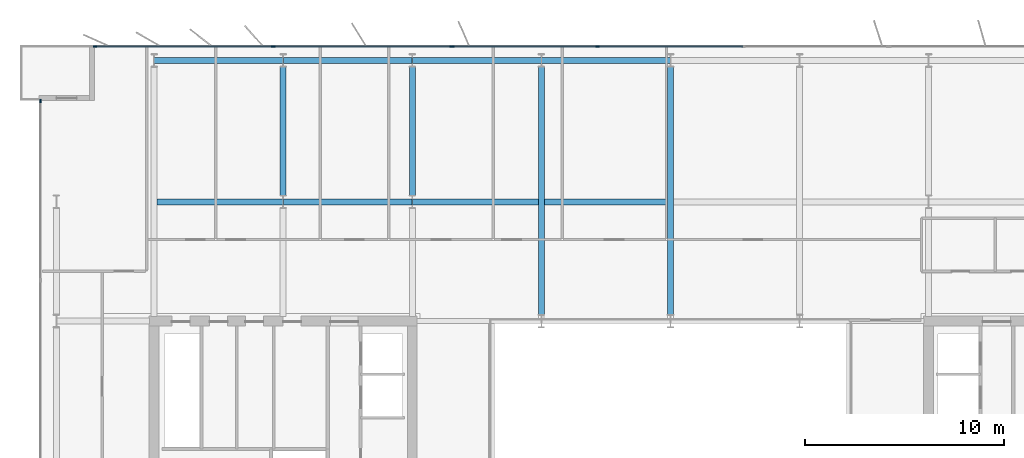
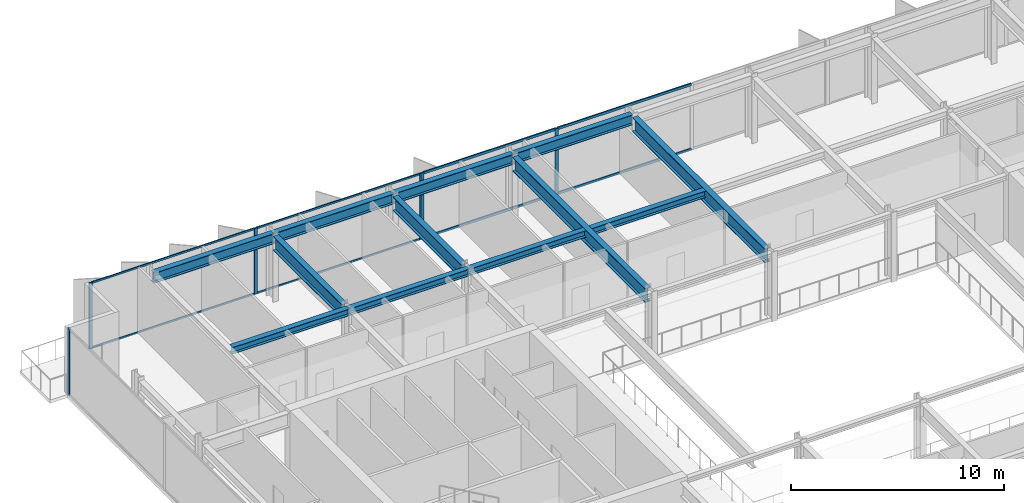
# One storey, part 8 of 21: 14 members, 12 beams, 3 elements without a shape of their own.
"""IFC4 building model written with IfcOpenShell, lengths in metres."""

import ifcopenshell
import ifcopenshell.guid

model = None  # the IFC model being written
_history = None  # IfcOwnerHistory: only IFC2X3 demands one
_inside = {}  # id of a spatial element -> (the spatial element, [elements in it])
_under = {}  # id of a project, library or spatial element -> (it, [spatial elements below it])
_declared = {}  # id of a project -> (the project, [libraries it declares])
_typed = {}  # id of a type object -> (the type object, [elements of that type])
_made_of = {}  # id of a material, layer set ... -> (it, [elements and type objects made of it])


def new_model(schema):
    """Start an empty IFC model of exactly this schema.

    Asked for "IFC4X3", IfcOpenShell would pick the latest addendum, in which some entities
    have other attributes; the version numbers below select the first issue.
    IFC2X3 requires an IfcOwnerHistory on every rooted entity: one is made here for all.
    """
    global model, _history
    if schema == "IFC4X3":
        model = ifcopenshell.file(schema_version=(4, 3, 0, 0))
    else:
        model = ifcopenshell.file(schema=schema)
    _inside.clear()
    _under.clear()
    _declared.clear()
    _typed.clear()
    _made_of.clear()
    _history = None
    if model.schema == "IFC2X3":
        org = make("IfcOrganization", Name="unknown")
        user = make(
            "IfcPersonAndOrganization",
            ThePerson=make("IfcPerson", FamilyName="unknown"),
            TheOrganization=org,
        )
        app = make(
            "IfcApplication",
            ApplicationDeveloper=org,
            Version="unknown",
            ApplicationFullName="unknown",
            ApplicationIdentifier="unknown",
        )
        _history = make(
            "IfcOwnerHistory",
            OwningUser=user,
            OwningApplication=app,
            ChangeAction="ADDED",
            CreationDate=0,
        )
    return model


def make(cls, **values):
    """One entity of the class cls with the attributes given. An attribute that is None is left unset."""
    return model.create_entity(
        cls, **{name: value for name, value in values.items() if value is not None}
    )


def rooted(cls, **values):
    """An entity with a GlobalId (a new one), such as an element, a storey or a relation."""
    return make(cls, GlobalId=ifcopenshell.guid.new(), OwnerHistory=_history, **values)


def si_unit(unit_type, name, prefix=None):
    """IfcSIUnit, for example si_unit("LENGTHUNIT", "METRE", prefix="MILLI")."""
    return make("IfcSIUnit", UnitType=unit_type, Prefix=prefix, Name=name)


def assignment(units):
    """IfcUnitAssignment: the units of a project."""
    return None if units is None else make("IfcUnitAssignment", Units=units)


def point(xyz):
    """IfcCartesianPoint."""
    return None if xyz is None else make("IfcCartesianPoint", Coordinates=xyz)


def direction(xyz):
    """IfcDirection."""
    return None if xyz is None else make("IfcDirection", DirectionRatios=xyz)


def frame(location, z_axis=None, x_axis=None):
    """IfcAxis2Placement3D, a coordinate frame: its origin and axes. An axis left out is left unset."""
    return make(
        "IfcAxis2Placement3D",
        Location=point(location),
        Axis=direction(z_axis),
        RefDirection=direction(x_axis),
    )


def frame_2d(location, x_axis=None):
    """IfcAxis2Placement2D, a coordinate frame in the plane: its origin and x axis."""
    return make(
        "IfcAxis2Placement2D", Location=point(location), RefDirection=direction(x_axis)
    )


def origin():
    """The frame at (0, 0, 0) with its axes left unset."""
    return frame((0.0, 0.0, 0.0))


def origin_2d():
    """The frame at (0, 0) in the plane with its x axis left unset."""
    return frame_2d((0.0, 0.0))


def place(relative_to, where):
    """IfcLocalPlacement: puts the frame where relative to a parent placement (None: the world)."""
    return make(
        "IfcLocalPlacement", PlacementRelTo=relative_to, RelativePlacement=where
    )


def context(
    kind, dimensions, precision=None, world=None, true_north=None, identifier=None
):
    """IfcGeometricRepresentationContext, for example the 3D "Model" context."""
    return make(
        "IfcGeometricRepresentationContext",
        ContextIdentifier=identifier,
        ContextType=kind,
        CoordinateSpaceDimension=dimensions,
        Precision=precision,
        WorldCoordinateSystem=world,
        TrueNorth=true_north,
    )


def subcontext(parent, identifier, kind, view, scale=None):
    """IfcGeometricRepresentationSubContext, for example "Body" below "Model"."""
    return make(
        "IfcGeometricRepresentationSubContext",
        ContextIdentifier=identifier,
        ContextType=kind,
        ParentContext=parent,
        TargetScale=scale,
        TargetView=view,
    )


def project(units=None, contexts=None):
    """IfcProject with its units and contexts."""
    return rooted(
        "IfcProject",
        Name="project",
        RepresentationContexts=contexts,
        UnitsInContext=assignment(units),
    )


def spatial(cls, under=None, at=None, **own):
    """A site, building, storey or space (cls), placed at a placement, below another one or the project."""
    s = rooted(cls, ObjectPlacement=at, **own)
    if under is not None:
        _under.setdefault(under.id(), (under, []))[1].append(s)
    return s


def profile(cls, at=None, kind="AREA", **sizes):
    """A parametric profile (cls). Its sizes go by their IFC names, for example OverallWidth=200.0."""
    return make(cls, ProfileType=kind, Position=at, **sizes)


def rectangle(**sizes):
    """IfcRectangleProfileDef."""
    return profile("IfcRectangleProfileDef", **sizes)


def i_section(**sizes):
    """IfcIShapeProfileDef."""
    return profile("IfcIShapeProfileDef", **sizes)


def extrude(swept, where, along, depth):
    """IfcExtrudedAreaSolid: the profile swept, set in the frame where, extruded along a direction by depth."""
    return make(
        "IfcExtrudedAreaSolid",
        SweptArea=swept,
        Position=where,
        ExtrudedDirection=direction(along),
        Depth=depth,
    )


def shape(context_of_items, identifier, shape_type, items):
    """IfcShapeRepresentation: the items that make up one representation, for example the "Body"."""
    return make(
        "IfcShapeRepresentation",
        ContextOfItems=context_of_items,
        RepresentationIdentifier=identifier,
        RepresentationType=shape_type,
        Items=items,
    )


def material(Name=None, Category=None):
    """IfcMaterial."""
    return make("IfcMaterial", Name=Name, Category=Category)


def layer(
    of_material, thickness, ventilated=None, Name=None, Category=None, Priority=None
):
    """IfcMaterialLayer: one layer of a wall or slab, of a material (None: an air gap)."""
    return make(
        "IfcMaterialLayer",
        Material=of_material,
        LayerThickness=thickness,
        IsVentilated=ventilated,
        Name=Name,
        Category=Category,
        Priority=Priority,
    )


def layer_set(layers, Name=None):
    """IfcMaterialLayerSet."""
    return make("IfcMaterialLayerSet", MaterialLayers=layers, LayerSetName=Name)


def material_profile(
    of_material, cross_section, Name=None, Category=None, Priority=None
):
    """IfcMaterialProfile: a cross section and its material."""
    return make(
        "IfcMaterialProfile",
        Name=Name,
        Material=of_material,
        Profile=cross_section,
        Priority=Priority,
        Category=Category,
    )


def profile_set(profiles, Name=None, composite=None):
    """IfcMaterialProfileSet."""
    return make(
        "IfcMaterialProfileSet",
        Name=Name,
        MaterialProfiles=profiles,
        CompositeProfile=composite,
    )


def made_of(thing, what):
    """Note that an element or type object is made of a material, layer set ...; save() writes the relation."""
    if what is not None:
        _made_of.setdefault(what.id(), (what, []))[1].append(thing)
    return thing


def type_object(cls, material=None, **own):
    """A type object (cls), such as IfcWallType, which elements share."""
    return made_of(rooted(cls, **own), material)


def element(
    cls,
    number,
    at=None,
    inside=None,
    cuts=None,
    type_object=None,
    material=None,
    context=None,
    identifier="Body",
    shape_type=None,
    held_by="IfcProductDefinitionShape",
    body=None,
    shapes=None,
    **own,
):
    """One element of the class cls, such as IfcWall. Its Tag is "e" and its number.

    at: its placement. inside: the storey or other place that contains it. cuts: it is an
    opening in that element (IfcRelVoidsElement). A single representation is given by context,
    identifier, shape_type and body (its items); several are given by shapes. held_by: the class
    of the entity that holds the representations. save() writes the other relations.
    """
    e = rooted(cls, Tag="e%d" % number, ObjectPlacement=at, **own)
    if body is not None:
        shapes = [shape(context, identifier, shape_type, body)]
    if shapes is not None:
        e.Representation = make(held_by, Representations=shapes)
    if inside is not None:
        _inside.setdefault(inside.id(), (inside, []))[1].append(e)
    if cuts is not None:
        rooted(
            "IfcRelVoidsElement", RelatingBuildingElement=cuts, RelatedOpeningElement=e
        )
    if type_object is not None:
        _typed.setdefault(type_object.id(), (type_object, []))[1].append(e)
    return made_of(e, material)


def aggregate(whole, parts):
    """IfcRelAggregates: a whole, such as a stair, and the parts it consists of."""
    return rooted("IfcRelAggregates", RelatingObject=whole, RelatedObjects=parts)


def save(model, path):
    """Write the relations noted so far, then the file.

    IfcRelAggregates (storeys below a building ...), IfcRelContainedInSpatialStructure (elements
    in a storey), IfcRelDefinesByType, IfcRelAssociatesMaterial and IfcRelDeclares: one each for
    every whole, place, type object, material and project.
    """
    for whole, parts in _under.values():
        aggregate(whole, parts)
    for where, things in _inside.values():
        rooted(
            "IfcRelContainedInSpatialStructure",
            RelatedElements=things,
            RelatingStructure=where,
        )
    for kind, things in _typed.values():
        rooted("IfcRelDefinesByType", RelatedObjects=things, RelatingType=kind)
    for what, things in _made_of.values():
        rooted("IfcRelAssociatesMaterial", RelatedObjects=things, RelatingMaterial=what)
    for by, libraries in _declared.values():
        rooted("IfcRelDeclares", RelatingContext=by, RelatedDefinitions=libraries)
    model.write(path)


model = new_model("IFC4")

# Units and contexts
model_context = context("Model", 3, precision=1e-05, world=origin(), true_north=direction((0.0, 1.0)))
body_context = subcontext(model_context, "Body", "Model", "MODEL_VIEW")
ifc_project = project(units=[si_unit("LENGTHUNIT", "METRE"), si_unit("AREAUNIT", "SQUARE_METRE"), si_unit("VOLUMEUNIT", "CUBIC_METRE"), si_unit("PLANEANGLEUNIT", "RADIAN"), si_unit("MASSUNIT", "GRAM", prefix="KILO")], contexts=[model_context])

# Site, building, storey
site_placement = place(None, origin())
site = spatial("IfcSite", under=ifc_project, at=site_placement, CompositionType="ELEMENT")
building_placement = place(site_placement, origin())
building = spatial("IfcBuilding", under=site, at=building_placement, Name="Putna Gate Headquarters", CompositionType="ELEMENT")
storey_placement = place(building_placement, frame((0.0, 0.0, 278.39990234375)))
storey = spatial("IfcBuildingStorey", under=building, at=storey_placement, Name="L70", CompositionType="ELEMENT", Elevation=278.39990234375)

# Beams
ifc_material_1 = material(Name="Steel S355J2", Category="steel")
ifc_material_profile_1 = material_profile(ifc_material_1, i_section(OverallWidth=0.300048828125, OverallDepth=0.800048828125, WebThickness=0.017578125, FlangeThickness=0.032958984375, at=origin_2d()), Name="Steel S355J2")
ifc_profile_set_1 = profile_set([ifc_material_profile_1], Name="Steel S355J2")
beam_type_1 = type_object("IfcBeamType", Name="BM-GIRD-P-HEB800", PredefinedType="USERDEFINED", material=ifc_profile_set_1)
for number, where, z_axis, x_axis, name in (
    (1, (19.5, 39.322021484375, 3.38818359375), (0.0, 1.0, 0.0), (-1.0, 0.0, 0.0), "L70 North Primary Girder X19-2"),
    (2, (26.0, 39.322021484375, 3.38818359375), (0.0, 1.0, 0.0), (-1.0, 0.0, 0.0), "L70 North Primary Girder X26-2"),
):
    element("IfcBeam", number, at=place(storey_placement, frame(where, z_axis=z_axis, x_axis=x_axis)), inside=storey, type_object=beam_type_1, Name=name, ObjectType="GIRDER", PredefinedType="USERDEFINED", context=body_context, shape_type="SweptSolid", body=[
        extrude(i_section(OverallWidth=0.300048828125, OverallDepth=0.800048828125, WebThickness=0.017578125, FlangeThickness=0.032958984375, at=origin_2d()), origin(), (0.0, 0.0, 1.0), 6.47607421875),
    ])
for number, where, z_axis, x_axis, name in (
    (3, (32.5, 33.322021484375, 3.38818359375), (0.0, 1.0, 0.0), (-1.0, 0.0, 0.0), "L70 North Primary Girder X32"),
    (4, (39.0, 33.322021484375, 3.38818359375), (0.0, 1.0, 0.0), (-1.0, 0.0, 0.0), "L70 North Primary Girder X39"),
):
    element("IfcBeam", number, at=place(storey_placement, frame(where, z_axis=z_axis, x_axis=x_axis)), inside=storey, type_object=beam_type_1, Name=name, ObjectType="GIRDER", PredefinedType="USERDEFINED", context=body_context, shape_type="SweptSolid", body=[
        extrude(i_section(OverallWidth=0.300048828125, OverallDepth=0.800048828125, WebThickness=0.017578125, FlangeThickness=0.032958984375, at=origin_2d()), origin(), (0.0, 0.0, 1.0), 12.47607421875),
    ])
ifc_material_profile_2 = material_profile(ifc_material_1, i_section(OverallWidth=0.300048828125, OverallDepth=0.389892578125, WebThickness=0.010986328125, FlangeThickness=0.01904296875, at=origin_2d()), Name="Steel S355J2")
ifc_profile_set_2 = profile_set([ifc_material_profile_2], Name="Steel S355J2")
beam_type_2 = type_object("IfcBeamType", Name="BM-SEC-Z5-HEA400", PredefinedType="BEAM", material=ifc_profile_set_2)
beam_1_placement = place(storey_placement, frame((13.154052734375, 39.0, 3.593017578125), z_axis=(1.0, 0.0, 0.0), x_axis=(0.0, 1.0, 0.0)))
element("IfcBeam", 5, at=beam_1_placement, inside=storey, type_object=beam_type_2, Name="L70 North Secondary Beam 1", PredefinedType="BEAM", context=body_context, shape_type="SweptSolid", body=[
    extrude(i_section(OverallWidth=0.300048828125, OverallDepth=0.389892578125, WebThickness=0.010986328125, FlangeThickness=0.01904296875, at=origin_2d()), origin(), (0.0, 0.0, 1.0), 6.33984375),
])
beam_2_placement = place(storey_placement, frame((19.506103515625, 39.0, 3.593017578125), z_axis=(1.0, 0.0, 0.0), x_axis=(0.0, 1.0, 0.0)))
element("IfcBeam", 6, at=beam_2_placement, inside=storey, type_object=beam_type_2, Name="L70 North Secondary Beam 2", PredefinedType="BEAM", context=body_context, shape_type="SweptSolid", body=[
    extrude(i_section(OverallWidth=0.300048828125, OverallDepth=0.389892578125, WebThickness=0.010986328125, FlangeThickness=0.01904296875, at=origin_2d()), origin(), (0.0, 0.0, 1.0), 6.48779296875),
])
beam_3_placement = place(storey_placement, frame((26.006103515625, 39.0, 3.593017578125), z_axis=(1.0, 0.0, 0.0), x_axis=(0.0, 1.0, 0.0)))
element("IfcBeam", 7, at=beam_3_placement, inside=storey, type_object=beam_type_2, Name="L70 North Secondary Beam 3", PredefinedType="BEAM", context=body_context, shape_type="SweptSolid", body=[
    extrude(i_section(OverallWidth=0.300048828125, OverallDepth=0.389892578125, WebThickness=0.010986328125, FlangeThickness=0.01904296875, at=origin_2d()), origin(), (0.0, 0.0, 1.0), 6.33984375),
])
beam_4_placement = place(storey_placement, frame((32.654052734375, 39.0, 3.593017578125), z_axis=(1.0, 0.0, 0.0), x_axis=(0.0, 1.0, 0.0)))
element("IfcBeam", 8, at=beam_4_placement, inside=storey, type_object=beam_type_2, Name="L70 North Secondary Beam 4", PredefinedType="BEAM", context=body_context, shape_type="SweptSolid", body=[
    extrude(i_section(OverallWidth=0.300048828125, OverallDepth=0.389892578125, WebThickness=0.010986328125, FlangeThickness=0.01904296875, at=origin_2d()), origin(), (0.0, 0.0, 1.0), 6.19189453125),
])
ifc_material_profile_3 = material_profile(ifc_material_1, i_section(OverallWidth=0.300048828125, OverallDepth=0.590087890625, WebThickness=0.012939453125, FlangeThickness=0.02490234375, at=origin_2d()), Name="Steel S355J2")
ifc_profile_set_3 = profile_set([ifc_material_profile_3], Name="Steel S355J2")
beam_type_3 = type_object("IfcBeamType", Name="BM-SPAN-Z4-HEA600", PredefinedType="SPANDREL", material=ifc_profile_set_3)
for number, where, z_axis, x_axis, name in (
    (9, (13.006103515625, 46.1201171875, 3.4931640625), (1.0, 0.0, 0.0), (0.0, 1.0, 0.0), "L70 N Perimeter Spandrel 1"),
    (10, (19.506103515625, 46.1201171875, 3.4931640625), (1.0, 0.0, 0.0), (0.0, 1.0, 0.0), "L70 N Perimeter Spandrel 2"),
    (11, (26.006103515625, 46.1201171875, 3.4931640625), (1.0, 0.0, 0.0), (0.0, 1.0, 0.0), "L70 N Perimeter Spandrel 3"),
    (12, (32.506103515625, 46.1201171875, 3.4931640625), (1.0, 0.0, 0.0), (0.0, 1.0, 0.0), "L70 N Perimeter Spandrel 4"),
):
    element("IfcBeam", number, at=place(storey_placement, frame(where, z_axis=z_axis, x_axis=x_axis)), inside=storey, type_object=beam_type_3, Name=name, PredefinedType="SPANDREL", context=body_context, shape_type="SweptSolid", body=[
        extrude(i_section(OverallWidth=0.300048828125, OverallDepth=0.590087890625, WebThickness=0.012939453125, FlangeThickness=0.02490234375, at=origin_2d()), origin(), (0.0, 0.0, 1.0), 6.48779296875),
    ])

# Curtain wall, members
ifc_material_2 = material(Name="Anodised bronze aluminium curtain wall", Category="aluminium")
ifc_layer_1 = layer(ifc_material_2, 0.179931640625)
ifc_layer_set_1 = layer_set([ifc_layer_1], Name="Anodised bronze aluminium curtain wall")
curtain_wall_type_1 = type_object("IfcCurtainWallType", Name="CW-SYS-Z5", PredefinedType="USERDEFINED", material=ifc_layer_set_1)
curtain_wall_1_placement = place(storey_placement, origin())
curtain_wall_1 = element("IfcCurtainWall", 13, at=curtain_wall_1_placement, inside=storey, type_object=curtain_wall_type_1, Name="L70 North West Curtain Wall", ObjectType="STICK CURTAIN WALL", PredefinedType="USERDEFINED")
ifc_material_3 = material(Name="Anodised bronze aluminium EN AW-6060", Category="aluminium")
ifc_material_profile_4 = material_profile(ifc_material_3, rectangle(XDim=0.070068359375, YDim=0.179931640625, at=origin_2d()), Name="Anodised bronze aluminium EN AW-6060")
ifc_profile_set_4 = profile_set([ifc_material_profile_4], Name="Anodised bronze aluminium EN AW-6060")
member_type_1 = type_object("IfcMemberType", Name="MULL-CWM-5", PredefinedType="MULLION", material=ifc_profile_set_4)
member_1_placement = place(storey_placement, frame((10.034912109375, 46.820068359375, 0.0), z_axis=(0.0, 0.0, 1.0), x_axis=(0.0, 1.0, 0.0)))
member_1 = element("IfcMember", 14, at=member_1_placement, type_object=member_type_1, Name="CWS-5 mullion 1", PredefinedType="MULLION", context=body_context, shape_type="SweptSolid", body=[
    extrude(rectangle(XDim=0.070068359375, YDim=0.179931640625, at=origin_2d()), origin(), (0.0, 0.0, 1.0), 3.7880859375),
])
member_2_placement = place(storey_placement, frame((19.0, 46.820068359375, 0.0), z_axis=(0.0, 0.0, 1.0), x_axis=(0.0, 1.0, 0.0)))
member_2 = element("IfcMember", 15, at=member_2_placement, type_object=member_type_1, Name="CWS-5 mullion 2", PredefinedType="MULLION", context=body_context, shape_type="SweptSolid", body=[
    extrude(rectangle(XDim=0.070068359375, YDim=0.179931640625, at=origin_2d()), origin(), (0.0, 0.0, 1.0), 3.7880859375),
])
member_3_placement = place(storey_placement, frame((27.965087890625, 46.820068359375, 0.0), z_axis=(0.0, 0.0, 1.0), x_axis=(0.0, 1.0, 0.0)))
member_3 = element("IfcMember", 16, at=member_3_placement, type_object=member_type_1, Name="CWS-5 mullion 3", PredefinedType="MULLION", context=body_context, shape_type="SweptSolid", body=[
    extrude(rectangle(XDim=0.070068359375, YDim=0.179931640625, at=origin_2d()), origin(), (0.0, 0.0, 1.0), 3.7880859375),
])

# Curtain wall, member
curtain_wall_2_placement = place(storey_placement, origin())
curtain_wall_2 = element("IfcCurtainWall", 17, at=curtain_wall_2_placement, inside=storey, type_object=curtain_wall_type_1, Name="L70 West Curtain Wall", ObjectType="STICK CURTAIN WALL", PredefinedType="USERDEFINED")
member_4_placement = place(storey_placement, frame((7.280029296875, 44.06494140625, 0.0), z_axis=(0.0, 0.0, 1.0), x_axis=(-1.0, 0.0, 0.0)))
member_4 = element("IfcMember", 18, at=member_4_placement, type_object=member_type_1, Name="CWS-5 mullion 5", PredefinedType="MULLION", context=body_context, shape_type="SweptSolid", body=[
    extrude(rectangle(XDim=0.070068359375, YDim=0.179931640625, at=origin_2d()), origin(), (0.0, 0.0, 1.0), 3.7880859375),
])
aggregate(curtain_wall_2, [member_4])

# Curtain wall, members
ifc_layer_2 = layer(ifc_material_2, 0.179931640625)
ifc_layer_set_2 = layer_set([ifc_layer_2], Name="Anodised bronze aluminium curtain wall")
curtain_wall_type_2 = type_object("IfcCurtainWallType", Name="CW-SYS-ATR", PredefinedType="USERDEFINED", material=ifc_layer_set_2)
curtain_wall_3_placement = place(storey_placement, origin())
curtain_wall_3 = element("IfcCurtainWall", 19, at=curtain_wall_3_placement, inside=storey, type_object=curtain_wall_type_2, Name="L70 North Atrium Clear Glazing", ObjectType="ATRIUM GLAZING", PredefinedType="USERDEFINED")
ifc_material_profile_5 = material_profile(ifc_material_3, rectangle(XDim=0.070068359375, YDim=0.179931640625, at=origin_2d()), Name="Anodised bronze aluminium EN AW-6060")
ifc_profile_set_5 = profile_set([ifc_material_profile_5], Name="Anodised bronze aluminium EN AW-6060")
member_type_2 = type_object("IfcMemberType", Name="MULL-CWM-AT", PredefinedType="MULLION", material=ifc_profile_set_5)
member_5_placement = place(storey_placement, frame((28.034912109375, 46.820068359375, 0.0), z_axis=(0.0, 0.0, 1.0), x_axis=(0.0, 1.0, 0.0)))
member_5 = element("IfcMember", 20, at=member_5_placement, type_object=member_type_2, Name="CWS-AT mullion 1", PredefinedType="MULLION", context=body_context, shape_type="SweptSolid", body=[
    extrude(rectangle(XDim=0.070068359375, YDim=0.179931640625, at=origin_2d()), origin(), (0.0, 0.0, 1.0), 3.7880859375),
])
member_6_placement = place(storey_placement, frame((35.333251953125, 46.820068359375, 0.0), z_axis=(0.0, 0.0, 1.0), x_axis=(0.0, 1.0, 0.0)))
member_6 = element("IfcMember", 21, at=member_6_placement, type_object=member_type_2, Name="CWS-AT mullion 2", PredefinedType="MULLION", context=body_context, shape_type="SweptSolid", body=[
    extrude(rectangle(XDim=0.070068359375, YDim=0.179931640625, at=origin_2d()), origin(), (0.0, 0.0, 1.0), 3.7880859375),
])

# Member
ifc_material_profile_6 = material_profile(ifc_material_3, rectangle(XDim=0.06005859375, YDim=0.10009765625, at=origin_2d()), Name="Anodised bronze aluminium EN AW-6060")
ifc_profile_set_6 = profile_set([ifc_material_profile_6], Name="Anodised bronze aluminium EN AW-6060")
member_type_3 = type_object("IfcMemberType", Name="TRAN-CWT-5", PredefinedType="USERDEFINED", material=ifc_profile_set_6)
member_7_placement = place(storey_placement, frame((10.070068359375, 46.820068359375, 0.030029296875), z_axis=(1.0, 0.0, 0.0), x_axis=(0.0, 1.0, 0.0)))
member_7 = element("IfcMember", 22, at=member_7_placement, type_object=member_type_3, Name="CWS-5 transom 1.1", ObjectType="TRANSOM", PredefinedType="USERDEFINED", context=body_context, shape_type="SweptSolid", body=[
    extrude(rectangle(XDim=0.06005859375, YDim=0.10009765625, at=origin_2d()), origin(), (0.0, 0.0, 1.0), 8.89501953125),
])

member_8_placement = place(storey_placement, frame((10.070068359375, 46.820068359375, 3.758056640625), z_axis=(1.0, 0.0, 0.0), x_axis=(0.0, 1.0, 0.0)))
member_8 = element("IfcMember", 23, at=member_8_placement, type_object=member_type_3, Name="CWS-5 transom 1.2", ObjectType="TRANSOM", PredefinedType="USERDEFINED", context=body_context, shape_type="SweptSolid", body=[
    extrude(rectangle(XDim=0.06005859375, YDim=0.10009765625, at=origin_2d()), origin(), (0.0, 0.0, 1.0), 8.89501953125),
])

member_9_placement = place(storey_placement, frame((19.034912109375, 46.820068359375, 0.030029296875), z_axis=(1.0, 0.0, 0.0), x_axis=(0.0, 1.0, 0.0)))
member_9 = element("IfcMember", 24, at=member_9_placement, type_object=member_type_3, Name="CWS-5 transom 2.1", ObjectType="TRANSOM", PredefinedType="USERDEFINED", context=body_context, shape_type="SweptSolid", body=[
    extrude(rectangle(XDim=0.06005859375, YDim=0.10009765625, at=origin_2d()), origin(), (0.0, 0.0, 1.0), 8.89501953125),
])

member_10_placement = place(storey_placement, frame((19.034912109375, 46.820068359375, 3.758056640625), z_axis=(1.0, 0.0, 0.0), x_axis=(0.0, 1.0, 0.0)))
member_10 = element("IfcMember", 25, at=member_10_placement, type_object=member_type_3, Name="CWS-5 transom 2.2", ObjectType="TRANSOM", PredefinedType="USERDEFINED", context=body_context, shape_type="SweptSolid", body=[
    extrude(rectangle(XDim=0.06005859375, YDim=0.10009765625, at=origin_2d()), origin(), (0.0, 0.0, 1.0), 8.89501953125),
])

aggregate(curtain_wall_1, [member_1, member_2, member_3, member_7, member_8, member_9, member_10])

ifc_material_profile_7 = material_profile(ifc_material_3, rectangle(XDim=0.070068359375, YDim=0.139892578125, at=origin_2d()), Name="Anodised bronze aluminium EN AW-6060")
ifc_profile_set_7 = profile_set([ifc_material_profile_7], Name="Anodised bronze aluminium EN AW-6060")
member_type_4 = type_object("IfcMemberType", Name="TRAN-CWT-AT", PredefinedType="USERDEFINED", material=ifc_profile_set_7)
member_11_placement = place(storey_placement, frame((28.070068359375, 46.820068359375, 0.03515625), z_axis=(1.0, 0.0, 0.0), x_axis=(0.0, 1.0, 0.0)))
member_11 = element("IfcMember", 26, at=member_11_placement, type_object=member_type_4, Name="CWS-AT transom 1.1", ObjectType="TRANSOM", PredefinedType="USERDEFINED", context=body_context, shape_type="SweptSolid", body=[
    extrude(rectangle(XDim=0.070068359375, YDim=0.139892578125, at=origin_2d()), origin(), (0.0, 0.0, 1.0), 7.228271484375),
])

member_12_placement = place(storey_placement, frame((28.070068359375, 46.820068359375, 3.753173828125), z_axis=(1.0, 0.0, 0.0), x_axis=(0.0, 1.0, 0.0)))
member_12 = element("IfcMember", 27, at=member_12_placement, type_object=member_type_4, Name="CWS-AT transom 1.2", ObjectType="TRANSOM", PredefinedType="USERDEFINED", context=body_context, shape_type="SweptSolid", body=[
    extrude(rectangle(XDim=0.070068359375, YDim=0.139892578125, at=origin_2d()), origin(), (0.0, 0.0, 1.0), 7.228271484375),
])

member_13_placement = place(storey_placement, frame((35.368408203125, 46.820068359375, 0.03515625), z_axis=(1.0, 0.0, 0.0), x_axis=(0.0, 1.0, 0.0)))
member_13 = element("IfcMember", 28, at=member_13_placement, type_object=member_type_4, Name="CWS-AT transom 2.1", ObjectType="TRANSOM", PredefinedType="USERDEFINED", context=body_context, shape_type="SweptSolid", body=[
    extrude(rectangle(XDim=0.070068359375, YDim=0.139892578125, at=origin_2d()), origin(), (0.0, 0.0, 1.0), 7.26318359375),
])

member_14_placement = place(storey_placement, frame((35.368408203125, 46.820068359375, 3.753173828125), z_axis=(1.0, 0.0, 0.0), x_axis=(0.0, 1.0, 0.0)))
member_14 = element("IfcMember", 29, at=member_14_placement, type_object=member_type_4, Name="CWS-AT transom 2.2", ObjectType="TRANSOM", PredefinedType="USERDEFINED", context=body_context, shape_type="SweptSolid", body=[
    extrude(rectangle(XDim=0.070068359375, YDim=0.139892578125, at=origin_2d()), origin(), (0.0, 0.0, 1.0), 7.26318359375),
])

aggregate(curtain_wall_3, [member_5, member_6, member_11, member_12, member_13, member_14])

save(model, "model.ifc")
